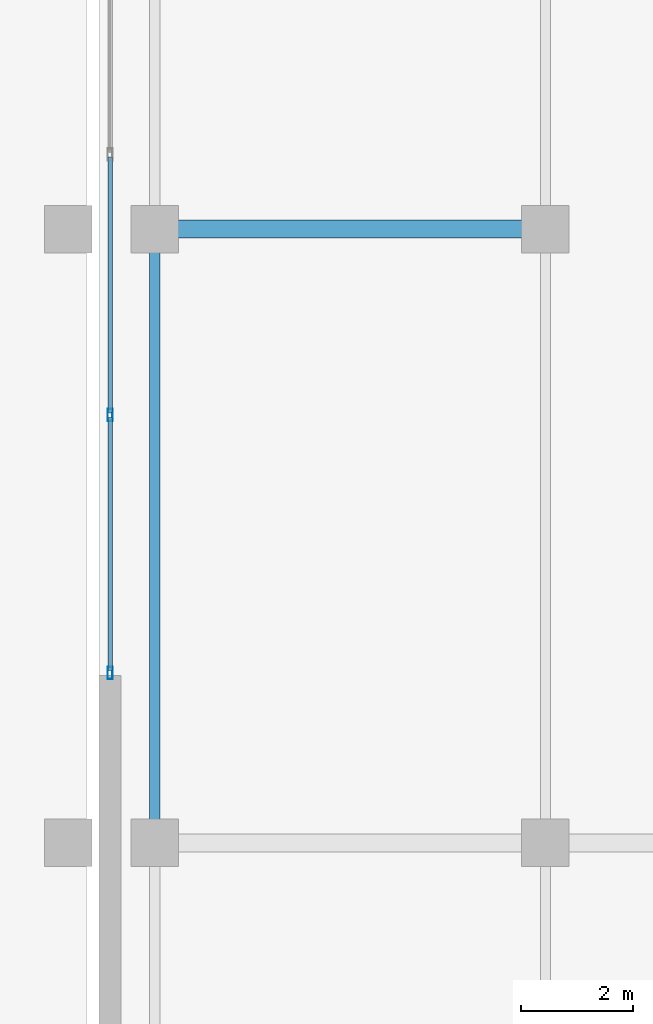
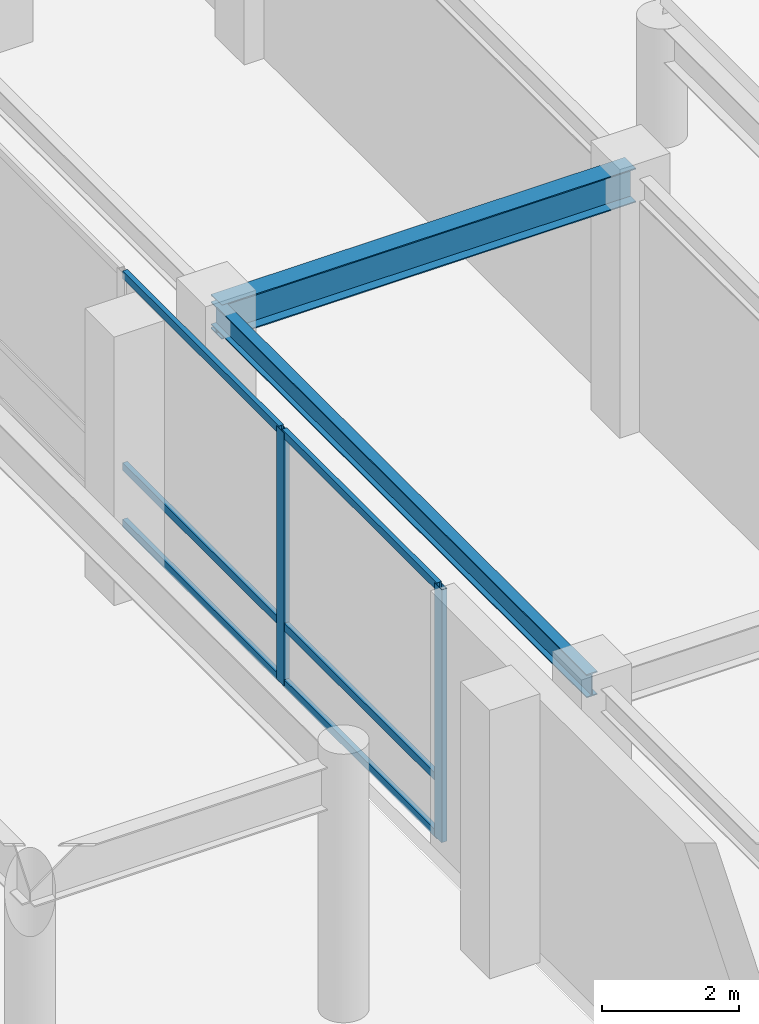
# One storey, part 10 of 35: 8 members, 2 beams, 1 element without a shape of its own.
"""IFC4 building model written with IfcOpenShell, lengths in metres."""

from ifc_helpers import new_model, si_unit, direction, frame, origin, origin_2d, place, context, subcontext, project, spatial, hollow_rectangle, i_section, extrude, material, layer, layer_set, material_profile, profile_set, type_object, element, aggregate, save


model = new_model("IFC4")

# Units and contexts
model_context = context("Model", 3, precision=1e-05, world=origin(), true_north=direction((0.0, 1.0)))
body_context = subcontext(model_context, "Body", "Model", "MODEL_VIEW")
ifc_project = project(units=[si_unit("LENGTHUNIT", "METRE"), si_unit("AREAUNIT", "SQUARE_METRE"), si_unit("VOLUMEUNIT", "CUBIC_METRE"), si_unit("PLANEANGLEUNIT", "RADIAN"), si_unit("MASSUNIT", "GRAM", prefix="KILO")], contexts=[model_context])

# Site, building, storey
site_placement = place(None, origin())
site = spatial("IfcSite", under=ifc_project, at=site_placement, CompositionType="ELEMENT")
building_placement = place(site_placement, origin())
building = spatial("IfcBuilding", under=site, at=building_placement, Name="Kazevale Care Tower and Concert Hall", CompositionType="ELEMENT")
storey_placement = place(building_placement, origin())
storey = spatial("IfcBuildingStorey", under=building, at=storey_placement, Name="L00", CompositionType="ELEMENT", Elevation=0.0)

# Curtain wall, members
ifc_material_1 = material(Name="Aluminium 6063-T6 and Low-E Glass", Category="aluminium")
ifc_layer = layer(ifc_material_1, 0.179931640625)
ifc_layer_set = layer_set([ifc_layer], Name="Aluminium 6063-T6 and Low-E Glass")
curtain_wall_type = type_object("IfcCurtainWallType", Name="Concert Hall Foyer Storefront Curtain Wall CW-6", PredefinedType="NOTDEFINED", material=ifc_layer_set)
curtain_wall_placement = place(storey_placement, origin())
curtain_wall = element("IfcCurtainWall", 1, at=curtain_wall_placement, inside=storey, type_object=curtain_wall_type, Name="cw:L00:hall:W2", PredefinedType="NOTDEFINED")
ifc_material_2 = material(Name="Aluminium 6063-T6", Category="aluminium")
ifc_material_profile_1 = material_profile(ifc_material_2, hollow_rectangle(XDim=0.090087890625, YDim=0.219970703125, WallThickness=0.0048828125, at=origin_2d()), Name="ALU90x220x5")
ifc_profile_set_1 = profile_set([ifc_material_profile_1], Name="Aluminium 6063-T6")
member_type_1 = type_object("IfcMemberType", Name="CW-6 Mullion ALU90x220x5", PredefinedType="MULLION", material=ifc_profile_set_1)
member_1_placement = place(storey_placement, frame((96.199951171875, 32.666748046875, 0.0), z_axis=(0.0, 0.0, 1.0), x_axis=(1.0, 0.0, 0.0)))
member_1 = element("IfcMember", 2, at=member_1_placement, type_object=member_type_1, Name="CW-6 mullion 3", PredefinedType="MULLION", context=body_context, shape_type="SweptSolid", body=[
    extrude(hollow_rectangle(XDim=0.090087890625, YDim=0.219970703125, WallThickness=0.0048828125, at=origin_2d()), origin(), (0.0, 0.0, 1.0), 4.52001953125),
])
member_2_placement = place(storey_placement, frame((96.199951171875, 28.044921875, 0.0), z_axis=(0.0, 0.0, 1.0), x_axis=(1.0, 0.0, 0.0)))
member_2 = element("IfcMember", 3, at=member_2_placement, type_object=member_type_1, Name="CW-6 mullion 4", PredefinedType="MULLION", context=body_context, shape_type="SweptSolid", body=[
    extrude(hollow_rectangle(XDim=0.090087890625, YDim=0.219970703125, WallThickness=0.0048828125, at=origin_2d()), origin(), (0.0, 0.0, 1.0), 4.52001953125),
])
ifc_material_profile_2 = material_profile(ifc_material_2, hollow_rectangle(XDim=0.080078125, YDim=0.139892578125, WallThickness=0.00390625, at=origin_2d()), Name="ALU80x140x4")
ifc_profile_set_2 = profile_set([ifc_material_profile_2], Name="Aluminium 6063-T6")
member_type_2 = type_object("IfcMemberType", Name="CW-6 Transom ALU80x140x4", PredefinedType="USERDEFINED", material=ifc_profile_set_2)
member_3_placement = place(storey_placement, frame((96.199951171875, 37.288330078125, 0.0400390625), z_axis=(0.0, -1.0, 0.0), x_axis=(1.0, 0.0, 0.0)))
member_3 = element("IfcMember", 4, at=member_3_placement, type_object=member_type_2, Name="CW-6 transom 2.1", ObjectType="TRANSOM", PredefinedType="USERDEFINED", context=body_context, shape_type="SweptSolid", body=[
    extrude(hollow_rectangle(XDim=0.080078125, YDim=0.139892578125, WallThickness=0.00390625, at=origin_2d()), origin(), (0.0, 0.0, 1.0), 4.57666015625),
])
member_4_placement = place(storey_placement, frame((96.199951171875, 37.288330078125, 1.050048828125), z_axis=(0.0, -1.0, 0.0), x_axis=(1.0, 0.0, 0.0)))
member_4 = element("IfcMember", 5, at=member_4_placement, type_object=member_type_2, Name="CW-6 transom 2.2", ObjectType="TRANSOM", PredefinedType="USERDEFINED", context=body_context, shape_type="SweptSolid", body=[
    extrude(hollow_rectangle(XDim=0.080078125, YDim=0.139892578125, WallThickness=0.00390625, at=origin_2d()), origin(), (0.0, 0.0, 1.0), 4.57666015625),
])
member_5_placement = place(storey_placement, frame((96.199951171875, 37.288330078125, 4.47998046875), z_axis=(0.0, -1.0, 0.0), x_axis=(1.0, 0.0, 0.0)))
member_5 = element("IfcMember", 6, at=member_5_placement, type_object=member_type_2, Name="CW-6 transom 2.3", ObjectType="TRANSOM", PredefinedType="USERDEFINED", context=body_context, shape_type="SweptSolid", body=[
    extrude(hollow_rectangle(XDim=0.080078125, YDim=0.139892578125, WallThickness=0.00390625, at=origin_2d()), origin(), (0.0, 0.0, 1.0), 4.57666015625),
])
member_6_placement = place(storey_placement, frame((96.199951171875, 32.62158203125, 0.0400390625), z_axis=(0.0, -1.0, 0.0), x_axis=(1.0, 0.0, 0.0)))
member_6 = element("IfcMember", 7, at=member_6_placement, type_object=member_type_2, Name="CW-6 transom 3.1", ObjectType="TRANSOM", PredefinedType="USERDEFINED", context=body_context, shape_type="SweptSolid", body=[
    extrude(hollow_rectangle(XDim=0.080078125, YDim=0.139892578125, WallThickness=0.00390625, at=origin_2d()), origin(), (0.0, 0.0, 1.0), 4.531494140625),
])
member_7_placement = place(storey_placement, frame((96.199951171875, 32.62158203125, 1.050048828125), z_axis=(0.0, -1.0, 0.0), x_axis=(1.0, 0.0, 0.0)))
member_7 = element("IfcMember", 8, at=member_7_placement, type_object=member_type_2, Name="CW-6 transom 3.2", ObjectType="TRANSOM", PredefinedType="USERDEFINED", context=body_context, shape_type="SweptSolid", body=[
    extrude(hollow_rectangle(XDim=0.080078125, YDim=0.139892578125, WallThickness=0.00390625, at=origin_2d()), origin(), (0.0, 0.0, 1.0), 4.531494140625),
])
member_8_placement = place(storey_placement, frame((96.199951171875, 32.62158203125, 4.47998046875), z_axis=(0.0, -1.0, 0.0), x_axis=(1.0, 0.0, 0.0)))
member_8 = element("IfcMember", 9, at=member_8_placement, type_object=member_type_2, Name="CW-6 transom 3.3", ObjectType="TRANSOM", PredefinedType="USERDEFINED", context=body_context, shape_type="SweptSolid", body=[
    extrude(hollow_rectangle(XDim=0.080078125, YDim=0.139892578125, WallThickness=0.00390625, at=origin_2d()), origin(), (0.0, 0.0, 1.0), 4.531494140625),
])
aggregate(curtain_wall, [member_1, member_2, member_3, member_4, member_5, member_6, member_7, member_8])

# Beams
ifc_material_3 = material(Name="Steel ASTM A572 Gr 50", Category="steel")
ifc_material_profile_3 = material_profile(ifc_material_3, i_section(OverallWidth=0.323974609375, OverallDepth=0.611083984375, WebThickness=0.0126953125, FlangeThickness=0.01904296875, at=origin_2d()), Name="W610x155")
ifc_profile_set_3 = profile_set([ifc_material_profile_3], Name="Steel ASTM A572 Gr 50")
beam_type_1 = type_object("IfcBeamType", Name="Concert Hall Frame Girder W610x155", PredefinedType="BEAM", material=ifc_profile_set_3)
beam_1_placement = place(storey_placement, frame((97.0, 36.0, 4.214599609375), z_axis=(1.0, 0.0, 0.0), x_axis=(0.0, 1.0, 0.0)))
element("IfcBeam", 10, at=beam_1_placement, inside=storey, type_object=beam_type_1, Name="beam:L00:hx:97_36", PredefinedType="BEAM", context=body_context, shape_type="SweptSolid", body=[
    extrude(i_section(OverallWidth=0.323974609375, OverallDepth=0.611083984375, WebThickness=0.0126953125, FlangeThickness=0.01904296875, at=origin_2d()), origin(), (0.0, 0.0, 1.0), 7.0),
])
ifc_material_profile_4 = material_profile(ifc_material_3, i_section(OverallWidth=0.180908203125, OverallDepth=0.4169921875, WebThickness=0.010986328125, FlangeThickness=0.018310546875, at=origin_2d()), Name="W410x85")
ifc_profile_set_4 = profile_set([ifc_material_profile_4], Name="Steel ASTM A572 Gr 50")
beam_type_2 = type_object("IfcBeamType", Name="Concert Hall Secondary Beam W410x85", PredefinedType="BEAM", material=ifc_profile_set_4)
beam_2_placement = place(storey_placement, frame((97.0, 25.0, 4.3115234375), z_axis=(0.0, 1.0, 0.0), x_axis=(-1.0, 0.0, 0.0)))
element("IfcBeam", 11, at=beam_2_placement, inside=storey, type_object=beam_type_2, Name="beam:L00:hy:97_25", PredefinedType="BEAM", context=body_context, shape_type="SweptSolid", body=[
    extrude(i_section(OverallWidth=0.180908203125, OverallDepth=0.4169921875, WebThickness=0.010986328125, FlangeThickness=0.018310546875, at=origin_2d()), origin(), (0.0, 0.0, 1.0), 11.0),
])

save(model, "model.ifc")
